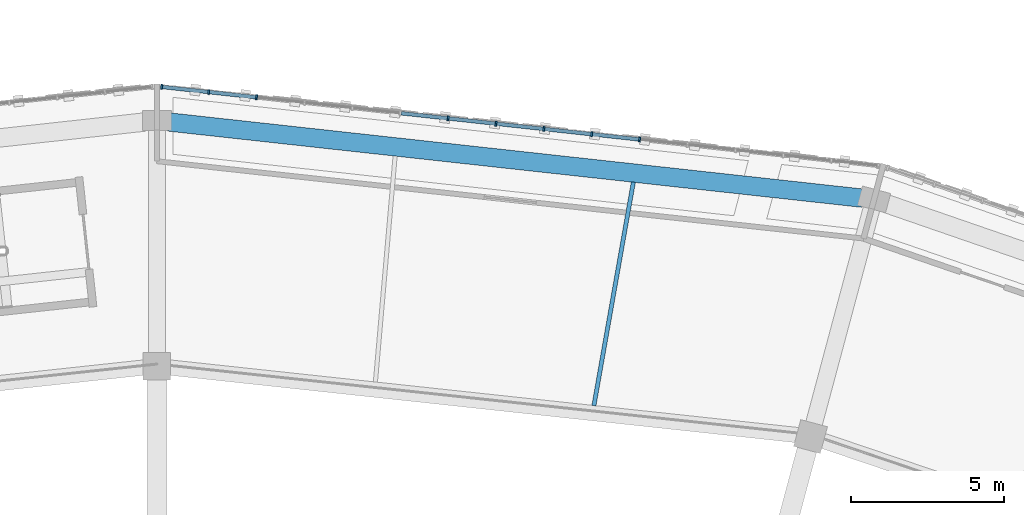
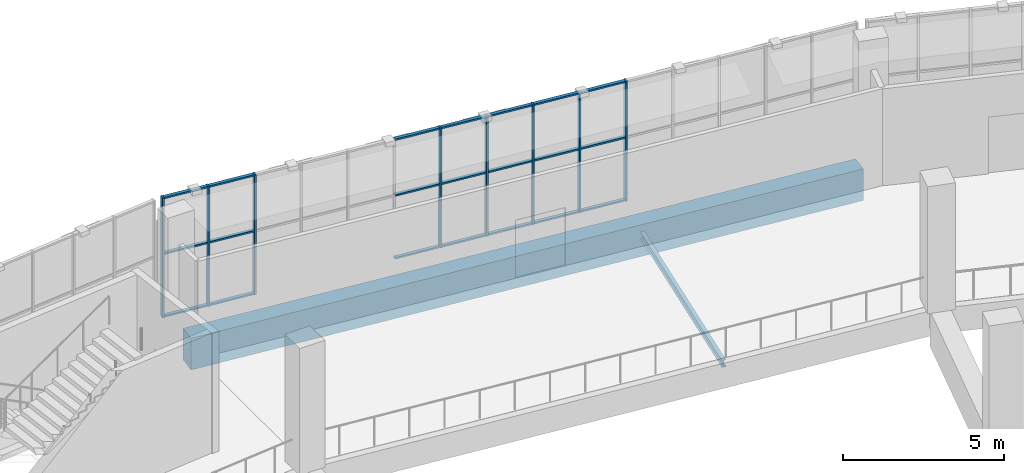
# One storey, part 41 of 108: 29 members, 2 beams, 1 element without a shape of its own.
"""IFC4 building model written with IfcOpenShell, lengths in metres."""

from ifc_helpers import new_model, si_unit, direction, frame, origin, origin_2d, place, context, subcontext, project, spatial, rectangle, i_section, extrude, material, material_profile, profile_set, type_object, element, aggregate, save


model = new_model("IFC4")

# Units and contexts
model_context = context("Model", 3, precision=1e-05, world=origin(), true_north=direction((0.0, 1.0)))
body_context = subcontext(model_context, "Body", "Model", "MODEL_VIEW")
ifc_project = project(units=[si_unit("LENGTHUNIT", "METRE"), si_unit("AREAUNIT", "SQUARE_METRE"), si_unit("VOLUMEUNIT", "CUBIC_METRE"), si_unit("PLANEANGLEUNIT", "RADIAN"), si_unit("MASSUNIT", "GRAM", prefix="KILO")], contexts=[model_context])

# Site, building, storey
site_placement = place(None, origin())
site = spatial("IfcSite", under=ifc_project, at=site_placement, CompositionType="ELEMENT")
building_placement = place(site_placement, origin())
building = spatial("IfcBuilding", under=site, at=building_placement, Name="Zevraka Park Crest Stadium", CompositionType="ELEMENT")
storey_placement = place(building_placement, frame((0.0, 0.0, 19.800048828125)))
storey = spatial("IfcBuildingStorey", under=building, at=storey_placement, Name="L04", CompositionType="ELEMENT", Elevation=19.800048828125)

# Curtain wall, members
ifc_material_1 = material(Name="Anodised architectural aluminium and laminated safety glass", Category="aluminium")
curtain_wall_type = type_object("IfcCurtainWallType", Name="CW16", PredefinedType="NOTDEFINED", material=ifc_material_1)
curtain_wall_placement = place(storey_placement, origin())
curtain_wall = element("IfcCurtainWall", 1, at=curtain_wall_placement, inside=storey, type_object=curtain_wall_type, Name="Unitised Ring Curtain Wall CW16 L04-05", PredefinedType="NOTDEFINED")
ifc_material_2 = material(Name="Anodised architectural aluminium", Category="aluminium")
ifc_material_profile_1 = material_profile(ifc_material_2, rectangle(XDim=0.159912109375, YDim=0.06005859375, at=origin_2d()), Name="ALU MULLION 160x60")
ifc_profile_set_1 = profile_set([ifc_material_profile_1], Name="Anodised architectural aluminium")
member_type_1 = type_object("IfcMemberType", Name="CM01", PredefinedType="MULLION", material=ifc_profile_set_1)
member_1_placement = place(storey_placement, frame((127.732666015625, 166.687744140625, 0.0), z_axis=(0.0, 0.0, 1.0), x_axis=(-0.109405941967, -0.993997152844, 0.0)))
member_1 = element("IfcMember", 2, at=member_1_placement, type_object=member_type_1, Name="CW16 mullion 6", PredefinedType="MULLION", context=body_context, shape_type="SweptSolid", body=[
    extrude(rectangle(XDim=0.159912109375, YDim=0.06005859375, at=origin_2d()), origin(), (0.0, 0.0, 1.0), 4.5400390625),
])
member_2_placement = place(storey_placement, frame((126.17236328125, 166.859375, 0.0), z_axis=(0.0, 0.0, 1.0), x_axis=(-0.109405941967, -0.993997152844, 0.0)))
member_2 = element("IfcMember", 3, at=member_2_placement, type_object=member_type_1, Name="CW16 mullion 7", PredefinedType="MULLION", context=body_context, shape_type="SweptSolid", body=[
    extrude(rectangle(XDim=0.159912109375, YDim=0.06005859375, at=origin_2d()), origin(), (0.0, 0.0, 1.0), 4.5400390625),
])
member_3_placement = place(storey_placement, frame((124.612060546875, 167.03125, 0.0), z_axis=(0.0, 0.0, 1.0), x_axis=(-0.109405941967, -0.993997152844, 0.0)))
member_3 = element("IfcMember", 4, at=member_3_placement, type_object=member_type_1, Name="CW16 mullion 8", PredefinedType="MULLION", context=body_context, shape_type="SweptSolid", body=[
    extrude(rectangle(XDim=0.159912109375, YDim=0.06005859375, at=origin_2d()), origin(), (0.0, 0.0, 1.0), 4.5400390625),
])
member_4_placement = place(storey_placement, frame((123.0517578125, 167.202880859375, 0.0), z_axis=(0.0, 0.0, 1.0), x_axis=(-0.109405941967, -0.993997152844, 0.0)))
member_4 = element("IfcMember", 5, at=member_4_placement, type_object=member_type_1, Name="CW16 mullion 9", PredefinedType="MULLION", context=body_context, shape_type="SweptSolid", body=[
    extrude(rectangle(XDim=0.159912109375, YDim=0.06005859375, at=origin_2d()), origin(), (0.0, 0.0, 1.0), 4.5400390625),
])
member_5_placement = place(storey_placement, frame((121.49169921875, 167.37451171875, 0.0), z_axis=(0.0, 0.0, 1.0), x_axis=(-0.109405941967, -0.993997152844, 0.0)))
member_5 = element("IfcMember", 6, at=member_5_placement, type_object=member_type_1, Name="CW16 mullion 10", PredefinedType="MULLION", context=body_context, shape_type="SweptSolid", body=[
    extrude(rectangle(XDim=0.159912109375, YDim=0.06005859375, at=origin_2d()), origin(), (0.0, 0.0, 1.0), 4.5400390625),
])
member_6_placement = place(storey_placement, frame((115.25048828125, 168.0615234375, 0.0), z_axis=(0.0, 0.0, 1.0), x_axis=(-0.109405941967, -0.993997152844, 0.0)))
member_6 = element("IfcMember", 7, at=member_6_placement, type_object=member_type_1, Name="CW16 mullion 14", PredefinedType="MULLION", context=body_context, shape_type="SweptSolid", body=[
    extrude(rectangle(XDim=0.159912109375, YDim=0.06005859375, at=origin_2d()), origin(), (0.0, 0.0, 1.0), 4.5400390625),
])
member_7_placement = place(storey_placement, frame((113.690185546875, 168.233154296875, 0.0), z_axis=(0.0, 0.0, 1.0), x_axis=(-0.109405941967, -0.993997152844, 0.0)))
member_7 = element("IfcMember", 8, at=member_7_placement, type_object=member_type_1, Name="CW16 mullion 15", PredefinedType="MULLION", context=body_context, shape_type="SweptSolid", body=[
    extrude(rectangle(XDim=0.159912109375, YDim=0.06005859375, at=origin_2d()), origin(), (0.0, 0.0, 1.0), 4.5400390625),
])
member_8_placement = place(storey_placement, frame((112.159912109375, 168.401611328125, 0.0), z_axis=(0.0, 0.0, 1.0), x_axis=(-0.109405941967, -0.993997152844, 0.0)))
member_8 = element("IfcMember", 9, at=member_8_placement, type_object=member_type_1, Name="CW16 mullion 16", PredefinedType="MULLION", context=body_context, shape_type="SweptSolid", body=[
    extrude(rectangle(XDim=0.159912109375, YDim=0.06005859375, at=origin_2d()), origin(), (0.0, 0.0, 1.0), 4.5400390625),
])
ifc_material_3 = material(Name="Anodised architectural aluminium", Category="aluminium")
ifc_material_profile_2 = material_profile(ifc_material_3, rectangle(XDim=0.1201171875, YDim=0.06005859375, at=origin_2d()), Name="ALU TRANSOM 120x60")
ifc_profile_set_2 = profile_set([ifc_material_profile_2], Name="Anodised architectural aluminium")
member_type_2 = type_object("IfcMemberType", Name="CT01", PredefinedType="USERDEFINED", material=ifc_profile_set_2)
member_9_placement = place(storey_placement, frame((127.702880859375, 166.69091796875, 0.030029296875), z_axis=(-0.993989760088, 0.109473087291, 0.0), x_axis=(-0.109473087291, -0.993989760088, 0.0)))
member_9 = element("IfcMember", 10, at=member_9_placement, type_object=member_type_2, Name="CW16 transom 6.1", ObjectType="TRANSOM", PredefinedType="USERDEFINED", context=body_context, shape_type="SweptSolid", body=[
    extrude(rectangle(XDim=0.1201171875, YDim=0.06005859375, at=origin_2d()), origin(), (0.0, 0.0, 1.0), 1.509765625),
])
member_10_placement = place(storey_placement, frame((127.702880859375, 166.69091796875, 2.39990234375), z_axis=(-0.993989760088, 0.109473087291, 0.0), x_axis=(-0.109473087291, -0.993989760088, 0.0)))
member_10 = element("IfcMember", 11, at=member_10_placement, type_object=member_type_2, Name="CW16 transom 6.2", ObjectType="TRANSOM", PredefinedType="USERDEFINED", context=body_context, shape_type="SweptSolid", body=[
    extrude(rectangle(XDim=0.1201171875, YDim=0.06005859375, at=origin_2d()), origin(), (0.0, 0.0, 1.0), 1.509765625),
])
member_11_placement = place(storey_placement, frame((127.702880859375, 166.69091796875, 4.510009765625), z_axis=(-0.993989760088, 0.109473087291, 0.0), x_axis=(-0.109473087291, -0.993989760088, 0.0)))
member_11 = element("IfcMember", 12, at=member_11_placement, type_object=member_type_2, Name="CW16 transom 6.3", ObjectType="TRANSOM", PredefinedType="USERDEFINED", context=body_context, shape_type="SweptSolid", body=[
    extrude(rectangle(XDim=0.1201171875, YDim=0.06005859375, at=origin_2d()), origin(), (0.0, 0.0, 1.0), 1.509765625),
])
member_12_placement = place(storey_placement, frame((126.142578125, 166.86279296875, 0.030029296875), z_axis=(-0.994007343316, 0.109313317729, 0.0), x_axis=(-0.109313317729, -0.994007343316, 0.0)))
member_12 = element("IfcMember", 13, at=member_12_placement, type_object=member_type_2, Name="CW16 transom 7.1", ObjectType="TRANSOM", PredefinedType="USERDEFINED", context=body_context, shape_type="SweptSolid", body=[
    extrude(rectangle(XDim=0.1201171875, YDim=0.06005859375, at=origin_2d()), origin(), (0.0, 0.0, 1.0), 1.509765625),
])
member_13_placement = place(storey_placement, frame((126.142578125, 166.86279296875, 2.39990234375), z_axis=(-0.994007343316, 0.109313317729, 0.0), x_axis=(-0.109313317729, -0.994007343316, 0.0)))
member_13 = element("IfcMember", 14, at=member_13_placement, type_object=member_type_2, Name="CW16 transom 7.2", ObjectType="TRANSOM", PredefinedType="USERDEFINED", context=body_context, shape_type="SweptSolid", body=[
    extrude(rectangle(XDim=0.1201171875, YDim=0.06005859375, at=origin_2d()), origin(), (0.0, 0.0, 1.0), 1.509765625),
])
member_14_placement = place(storey_placement, frame((126.142578125, 166.86279296875, 4.510009765625), z_axis=(-0.994007343316, 0.109313317729, 0.0), x_axis=(-0.109313317729, -0.994007343316, 0.0)))
member_14 = element("IfcMember", 15, at=member_14_placement, type_object=member_type_2, Name="CW16 transom 7.3", ObjectType="TRANSOM", PredefinedType="USERDEFINED", context=body_context, shape_type="SweptSolid", body=[
    extrude(rectangle(XDim=0.1201171875, YDim=0.06005859375, at=origin_2d()), origin(), (0.0, 0.0, 1.0), 1.509765625),
])
member_15_placement = place(storey_placement, frame((124.582275390625, 167.034423828125, 0.030029296875), z_axis=(-0.994005410559, 0.109330891236, 0.0), x_axis=(-0.109330891236, -0.994005410559, 0.0)))
member_15 = element("IfcMember", 16, at=member_15_placement, type_object=member_type_2, Name="CW16 transom 8.1", ObjectType="TRANSOM", PredefinedType="USERDEFINED", context=body_context, shape_type="SweptSolid", body=[
    extrude(rectangle(XDim=0.1201171875, YDim=0.06005859375, at=origin_2d()), origin(), (0.0, 0.0, 1.0), 1.509521484375),
])
member_16_placement = place(storey_placement, frame((124.582275390625, 167.034423828125, 2.39990234375), z_axis=(-0.994005410559, 0.109330891236, 0.0), x_axis=(-0.109330891236, -0.994005410559, 0.0)))
member_16 = element("IfcMember", 17, at=member_16_placement, type_object=member_type_2, Name="CW16 transom 8.2", ObjectType="TRANSOM", PredefinedType="USERDEFINED", context=body_context, shape_type="SweptSolid", body=[
    extrude(rectangle(XDim=0.1201171875, YDim=0.06005859375, at=origin_2d()), origin(), (0.0, 0.0, 1.0), 1.509521484375),
])
member_17_placement = place(storey_placement, frame((124.582275390625, 167.034423828125, 4.510009765625), z_axis=(-0.994005410559, 0.109330891236, 0.0), x_axis=(-0.109330891236, -0.994005410559, 0.0)))
member_17 = element("IfcMember", 18, at=member_17_placement, type_object=member_type_2, Name="CW16 transom 8.3", ObjectType="TRANSOM", PredefinedType="USERDEFINED", context=body_context, shape_type="SweptSolid", body=[
    extrude(rectangle(XDim=0.1201171875, YDim=0.06005859375, at=origin_2d()), origin(), (0.0, 0.0, 1.0), 1.509521484375),
])
member_18_placement = place(storey_placement, frame((123.02197265625, 167.2060546875, 0.030029296875), z_axis=(-0.993987821711, 0.10949068586, 0.0), x_axis=(-0.10949068586, -0.993987821711, 0.0)))
member_18 = element("IfcMember", 19, at=member_18_placement, type_object=member_type_2, Name="CW16 transom 9.1", ObjectType="TRANSOM", PredefinedType="USERDEFINED", context=body_context, shape_type="SweptSolid", body=[
    extrude(rectangle(XDim=0.1201171875, YDim=0.06005859375, at=origin_2d()), origin(), (0.0, 0.0, 1.0), 1.509521484375),
])
member_19_placement = place(storey_placement, frame((123.02197265625, 167.2060546875, 2.39990234375), z_axis=(-0.993987821711, 0.10949068586, 0.0), x_axis=(-0.10949068586, -0.993987821711, 0.0)))
member_19 = element("IfcMember", 20, at=member_19_placement, type_object=member_type_2, Name="CW16 transom 9.2", ObjectType="TRANSOM", PredefinedType="USERDEFINED", context=body_context, shape_type="SweptSolid", body=[
    extrude(rectangle(XDim=0.1201171875, YDim=0.06005859375, at=origin_2d()), origin(), (0.0, 0.0, 1.0), 1.509521484375),
])
member_20_placement = place(storey_placement, frame((123.02197265625, 167.2060546875, 4.510009765625), z_axis=(-0.993987821711, 0.10949068586, 0.0), x_axis=(-0.10949068586, -0.993987821711, 0.0)))
member_20 = element("IfcMember", 21, at=member_20_placement, type_object=member_type_2, Name="CW16 transom 9.3", ObjectType="TRANSOM", PredefinedType="USERDEFINED", context=body_context, shape_type="SweptSolid", body=[
    extrude(rectangle(XDim=0.1201171875, YDim=0.06005859375, at=origin_2d()), origin(), (0.0, 0.0, 1.0), 1.509521484375),
])
member_21_placement = place(storey_placement, frame((121.461669921875, 167.3779296875, 0.030029296875), z_axis=(-0.994005410559, 0.109330891236, 0.0), x_axis=(-0.109330891236, -0.994005410559, 0.0)))
member_21 = element("IfcMember", 22, at=member_21_placement, type_object=member_type_2, Name="CW16 transom 10.1", ObjectType="TRANSOM", PredefinedType="USERDEFINED", context=body_context, shape_type="SweptSolid", body=[
    extrude(rectangle(XDim=0.1201171875, YDim=0.06005859375, at=origin_2d()), origin(), (0.0, 0.0, 1.0), 1.509521484375),
])
member_22_placement = place(storey_placement, frame((121.461669921875, 167.3779296875, 2.39990234375), z_axis=(-0.994005410559, 0.109330891236, 0.0), x_axis=(-0.109330891236, -0.994005410559, 0.0)))
member_22 = element("IfcMember", 23, at=member_22_placement, type_object=member_type_2, Name="CW16 transom 10.2", ObjectType="TRANSOM", PredefinedType="USERDEFINED", context=body_context, shape_type="SweptSolid", body=[
    extrude(rectangle(XDim=0.1201171875, YDim=0.06005859375, at=origin_2d()), origin(), (0.0, 0.0, 1.0), 1.509521484375),
])
member_23_placement = place(storey_placement, frame((121.461669921875, 167.3779296875, 4.510009765625), z_axis=(-0.994005410559, 0.109330891236, 0.0), x_axis=(-0.109330891236, -0.994005410559, 0.0)))
member_23 = element("IfcMember", 24, at=member_23_placement, type_object=member_type_2, Name="CW16 transom 10.3", ObjectType="TRANSOM", PredefinedType="USERDEFINED", context=body_context, shape_type="SweptSolid", body=[
    extrude(rectangle(XDim=0.1201171875, YDim=0.06005859375, at=origin_2d()), origin(), (0.0, 0.0, 1.0), 1.509521484375),
])
member_24_placement = place(storey_placement, frame((115.220703125, 168.064697265625, 0.030029296875), z_axis=(-0.993989760088, 0.109473087291, 0.0), x_axis=(-0.109473087291, -0.993989760088, 0.0)))
member_24 = element("IfcMember", 25, at=member_24_placement, type_object=member_type_2, Name="CW16 transom 14.1", ObjectType="TRANSOM", PredefinedType="USERDEFINED", context=body_context, shape_type="SweptSolid", body=[
    extrude(rectangle(XDim=0.1201171875, YDim=0.06005859375, at=origin_2d()), origin(), (0.0, 0.0, 1.0), 1.509765625),
])
member_25_placement = place(storey_placement, frame((115.220703125, 168.064697265625, 2.39990234375), z_axis=(-0.993989760088, 0.109473087291, 0.0), x_axis=(-0.109473087291, -0.993989760088, 0.0)))
member_25 = element("IfcMember", 26, at=member_25_placement, type_object=member_type_2, Name="CW16 transom 14.2", ObjectType="TRANSOM", PredefinedType="USERDEFINED", context=body_context, shape_type="SweptSolid", body=[
    extrude(rectangle(XDim=0.1201171875, YDim=0.06005859375, at=origin_2d()), origin(), (0.0, 0.0, 1.0), 1.509765625),
])
member_26_placement = place(storey_placement, frame((115.220703125, 168.064697265625, 4.510009765625), z_axis=(-0.993989760088, 0.109473087291, 0.0), x_axis=(-0.109473087291, -0.993989760088, 0.0)))
member_26 = element("IfcMember", 27, at=member_26_placement, type_object=member_type_2, Name="CW16 transom 14.3", ObjectType="TRANSOM", PredefinedType="USERDEFINED", context=body_context, shape_type="SweptSolid", body=[
    extrude(rectangle(XDim=0.1201171875, YDim=0.06005859375, at=origin_2d()), origin(), (0.0, 0.0, 1.0), 1.509765625),
])
member_27_placement = place(storey_placement, frame((113.660400390625, 168.236572265625, 0.030029296875), z_axis=(-0.993997898073, 0.109399171053, 0.0), x_axis=(-0.109399171053, -0.993997898073, 0.0)))
member_27 = element("IfcMember", 28, at=member_27_placement, type_object=member_type_2, Name="CW16 transom 15.1", ObjectType="TRANSOM", PredefinedType="USERDEFINED", context=body_context, shape_type="SweptSolid", body=[
    extrude(rectangle(XDim=0.1201171875, YDim=0.06005859375, at=origin_2d()), origin(), (0.0, 0.0, 1.0), 1.4794921875),
])
member_28_placement = place(storey_placement, frame((113.660400390625, 168.236572265625, 2.39990234375), z_axis=(-0.993997898073, 0.109399171053, 0.0), x_axis=(-0.109399171053, -0.993997898073, 0.0)))
member_28 = element("IfcMember", 29, at=member_28_placement, type_object=member_type_2, Name="CW16 transom 15.2", ObjectType="TRANSOM", PredefinedType="USERDEFINED", context=body_context, shape_type="SweptSolid", body=[
    extrude(rectangle(XDim=0.1201171875, YDim=0.06005859375, at=origin_2d()), origin(), (0.0, 0.0, 1.0), 1.4794921875),
])
member_29_placement = place(storey_placement, frame((113.660400390625, 168.236572265625, 4.510009765625), z_axis=(-0.993997898073, 0.109399171053, 0.0), x_axis=(-0.109399171053, -0.993997898073, 0.0)))
member_29 = element("IfcMember", 30, at=member_29_placement, type_object=member_type_2, Name="CW16 transom 15.3", ObjectType="TRANSOM", PredefinedType="USERDEFINED", context=body_context, shape_type="SweptSolid", body=[
    extrude(rectangle(XDim=0.1201171875, YDim=0.06005859375, at=origin_2d()), origin(), (0.0, 0.0, 1.0), 1.4794921875),
])
aggregate(curtain_wall, [member_1, member_2, member_3, member_4, member_5, member_6, member_7, member_8, member_9, member_10, member_11, member_12, member_13, member_14, member_15, member_16, member_17, member_18, member_19, member_20, member_21, member_22, member_23, member_24, member_25, member_26, member_27, member_28, member_29])

# Beams
ifc_material_4 = material(Name="Concrete C40/50", Category="concrete")
ifc_material_profile_3 = material_profile(ifc_material_4, rectangle(XDim=0.60009765625, YDim=1.199951171875, at=origin_2d()), Name="RC 1200x600")
ifc_profile_set_3 = profile_set([ifc_material_profile_3], Name="Concrete C40/50")
beam_type_1 = type_object("IfcBeamType", Name="RB01", PredefinedType="BEAM", material=ifc_profile_set_3)
beam_1_placement = place(storey_placement, frame((134.992919921875, 164.77490234375, -0.610107421875), z_axis=(-0.994021150509, 0.109187693174, 0.0), x_axis=(-0.109187693174, -0.994021150509, 0.0)))
element("IfcBeam", 31, at=beam_1_placement, inside=storey, type_object=beam_type_1, Name="Ring Beam RB01 L04-D-05", PredefinedType="BEAM", context=body_context, shape_type="SweptSolid", body=[
    extrude(rectangle(XDim=0.60009765625, YDim=1.199951171875, at=origin_2d()), origin(), (0.0, 0.0, 1.0), 22.7509765625),
])
ifc_material_5 = material(Name="Steel S355", Category="steel")
ifc_material_profile_4 = material_profile(ifc_material_5, i_section(OverallWidth=0.135009765625, OverallDepth=0.27001953125, WebThickness=0.006591796875, FlangeThickness=0.01025390625, at=origin_2d()), Name="IPE 270")
ifc_profile_set_4 = profile_set([ifc_material_profile_4], Name="Steel S355")
beam_type_2 = type_object("IfcBeamType", Name="SJ07", PredefinedType="JOIST", material=ifc_profile_set_4)
beam_2_placement = place(storey_placement, frame((126.242919921875, 158.012939453125, -0.403076171875), z_axis=(0.173830511429, 0.984775585246, 0.0), x_axis=(-0.984775585246, 0.173830511429, 0.0)))
element("IfcBeam", 32, at=beam_2_placement, inside=storey, type_object=beam_type_2, Name="Floor Joist SJ07 L04-CD-05-1", PredefinedType="JOIST", context=body_context, shape_type="SweptSolid", body=[
    extrude(i_section(OverallWidth=0.135009765625, OverallDepth=0.27001953125, WebThickness=0.006591796875, FlangeThickness=0.01025390625, at=origin_2d()), origin(), (0.0, 0.0, 1.0), 7.398681640625),
])

save(model, "model.ifc")
